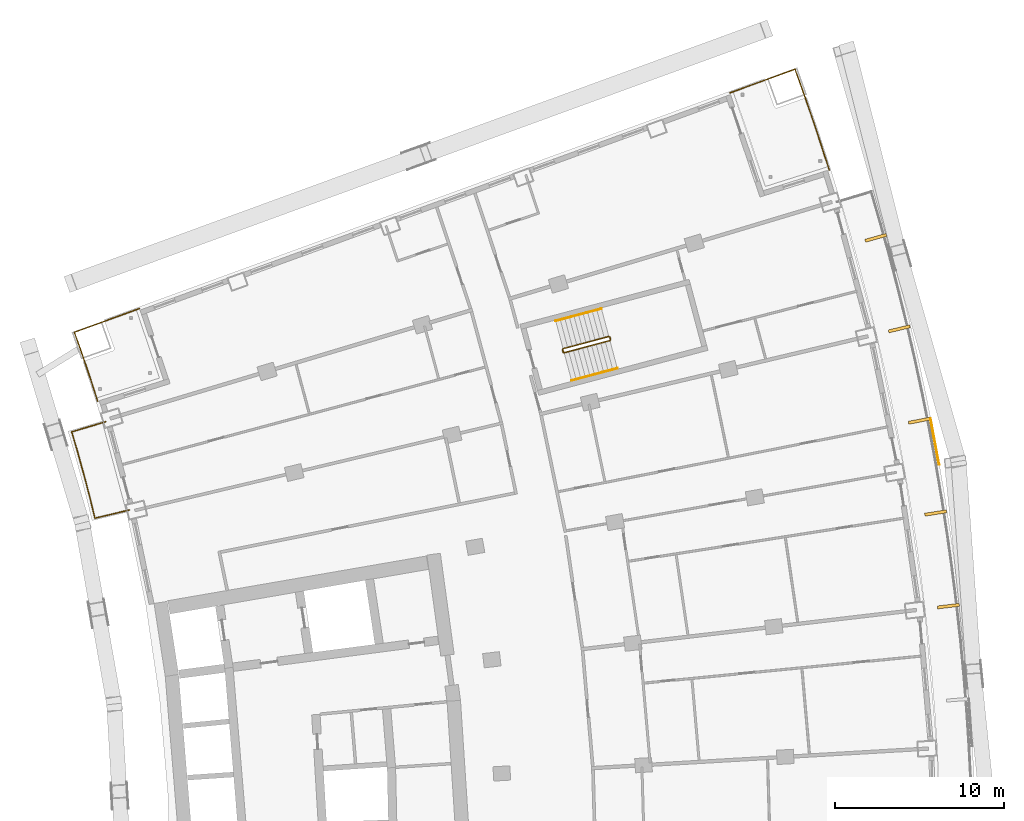
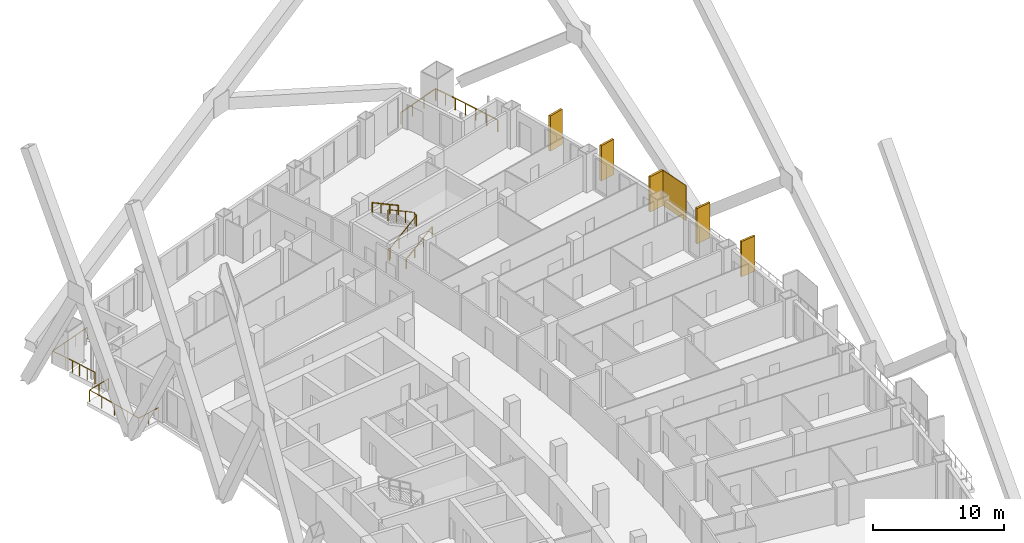
# One storey, part 24 of 24: 6 railings, 6 shading devices.
"""IFC4 building model written with IfcOpenShell, lengths in metres."""

from ifc_helpers import new_model, si_unit, direction, frame, origin, origin_2d, place, context, subcontext, project, spatial, rectangle, extrude, material, layer, layer_set, type_object, element, save


model = new_model("IFC4")

# Units and contexts
model_context = context("Model", 3, precision=1e-05, world=origin(), true_north=direction((0.0, 1.0)))
body_context = subcontext(model_context, "Body", "Model", "MODEL_VIEW")
ifc_project = project(units=[si_unit("LENGTHUNIT", "METRE"), si_unit("AREAUNIT", "SQUARE_METRE"), si_unit("VOLUMEUNIT", "CUBIC_METRE"), si_unit("PLANEANGLEUNIT", "RADIAN"), si_unit("MASSUNIT", "GRAM", prefix="KILO")], contexts=[model_context])

# Site, building, storey
site_placement = place(None, origin())
site = spatial("IfcSite", under=ifc_project, at=site_placement, CompositionType="ELEMENT")
building_placement = place(site_placement, origin())
building = spatial("IfcBuilding", under=site, at=building_placement, Name="Alderwake Tower", CompositionType="ELEMENT")
storey_placement = place(building_placement, frame((0.0, 0.0, 104.0)))
storey = spatial("IfcBuildingStorey", under=building, at=storey_placement, Name="L25", CompositionType="ELEMENT", Elevation=104.0)

# Railings
ifc_material_1 = material(Name="Stainless steel 316 rail and posts", Category="steel")
railing_type_1 = type_object("IfcRailingType", Name="Balcony guard 1100", PredefinedType="GUARDRAIL", material=ifc_material_1)
railing_1_placement = place(storey_placement, frame((13.5693359375, 83.343017578125, 0.0)))
element("IfcRailing", 1, at=railing_1_placement, inside=storey, type_object=railing_type_1, Name="Guard BR11", PredefinedType="GUARDRAIL", context=body_context, shape_type="SweptSolid", body=[
    extrude(rectangle(XDim=0.048095703125, YDim=0.048095703125, at=origin_2d()), frame((0.0, 0.0, 1.076171875), z_axis=(-0.972646310656, -0.232291098337, 0.0), x_axis=(0.232291098337, -0.972646310656, 0.0)), (0.0, 0.0, 1.0), 2.099853515625),
    extrude(rectangle(XDim=0.048095703125, YDim=0.048095703125, at=origin_2d()), frame((-2.04248046875, -0.48779296875, 1.076171875), z_axis=(-0.238877101641, 0.971049808358, 0.0), x_axis=(-0.971049808358, -0.238877101641, 0.0)), (0.0, 0.0, 1.0), 1.2724609375),
    extrude(rectangle(XDim=0.048095703125, YDim=0.048095703125, at=origin_2d()), frame((-2.346435546875, 0.747802734375, 1.076171875), z_axis=(-0.252487086228, 0.967600264204, 0.0), x_axis=(-0.967600264204, -0.252487086228, 0.0)), (0.0, 0.0, 1.0), 1.3720703125),
    extrude(rectangle(XDim=0.048095703125, YDim=0.048095703125, at=origin_2d()), frame((-2.69287109375, 2.075439453125, 1.076171875), z_axis=(-0.266487604617, 0.963838345671, 0.0), x_axis=(-0.963838345671, -0.266487604617, 0.0)), (0.0, 0.0, 1.0), 1.372314453125),
    extrude(rectangle(XDim=0.048095703125, YDim=0.048095703125, at=origin_2d()), frame((-3.05859375, 3.398193359375, 1.076171875), z_axis=(-0.279963157487, 0.960010744966, 0.0), x_axis=(-0.960010744966, -0.279963157487, 0.0)), (0.0, 0.0, 1.0), 1.272216796875),
    extrude(rectangle(XDim=0.048095703125, YDim=0.048095703125, at=origin_2d()), frame((-3.414794921875, 4.61962890625, 1.076171875), z_axis=(0.958091458885, 0.286462486918, 0.0), x_axis=(-0.286462486918, 0.958091458885, 0.0)), (0.0, 0.0, 1.0), 2.099853515625),
    extrude(rectangle(XDim=0.0419921875, YDim=0.0419921875, at=origin_2d()), frame((0.0, 0.0, 0.0), z_axis=(0.0, 0.0, 1.0), x_axis=(-0.972646310656, -0.232291098337, 0.0)), (0.0, 0.0, 1.0), 1.052001953125),
    extrude(rectangle(XDim=0.0419921875, YDim=0.0419921875, at=origin_2d()), frame((-1.021240234375, -0.243896484375, 0.0), z_axis=(0.0, 0.0, 1.0), x_axis=(-0.972646310656, -0.232291098337, 0.0)), (0.0, 0.0, 1.0), 1.052001953125),
    extrude(rectangle(XDim=0.0419921875, YDim=0.0419921875, at=origin_2d()), frame((-2.04248046875, -0.48779296875, 0.0), z_axis=(0.0, 0.0, 1.0), x_axis=(-0.238877101641, 0.971049808358, 0.0)), (0.0, 0.0, 1.0), 1.052001953125),
    extrude(rectangle(XDim=0.0419921875, YDim=0.0419921875, at=origin_2d()), frame((-2.346435546875, 0.747802734375, 0.0), z_axis=(0.0, 0.0, 1.0), x_axis=(-0.252487086228, 0.967600264204, 0.0)), (0.0, 0.0, 1.0), 1.052001953125),
    extrude(rectangle(XDim=0.0419921875, YDim=0.0419921875, at=origin_2d()), frame((-2.69287109375, 2.075439453125, 0.0), z_axis=(0.0, 0.0, 1.0), x_axis=(-0.266487604617, 0.963838345671, 0.0)), (0.0, 0.0, 1.0), 1.052001953125),
    extrude(rectangle(XDim=0.0419921875, YDim=0.0419921875, at=origin_2d()), frame((-3.05859375, 3.398193359375, 0.0), z_axis=(0.0, 0.0, 1.0), x_axis=(-0.279963157487, 0.960010744966, 0.0)), (0.0, 0.0, 1.0), 1.052001953125),
    extrude(rectangle(XDim=0.0419921875, YDim=0.0419921875, at=origin_2d()), frame((-3.414794921875, 4.61962890625, 0.0), z_axis=(0.0, 0.0, 1.0), x_axis=(0.958091458885, 0.286462486918, 0.0)), (0.0, 0.0, 1.0), 1.052001953125),
    extrude(rectangle(XDim=0.0419921875, YDim=0.0419921875, at=origin_2d()), frame((-2.40869140625, 4.92041015625, 0.0), z_axis=(0.0, 0.0, 1.0), x_axis=(0.958091458885, 0.286462486918, 0.0)), (0.0, 0.0, 1.0), 1.052001953125),
    extrude(rectangle(XDim=0.0419921875, YDim=0.0419921875, at=origin_2d()), frame((-1.40283203125, 5.22119140625, 0.0), z_axis=(0.0, 0.0, 1.0), x_axis=(0.958091458885, 0.286462486918, 0.0)), (0.0, 0.0, 1.0), 1.052001953125),
])
railing_2_placement = place(storey_placement, frame((54.976318359375, 103.469482421875, 0.0)))
element("IfcRailing", 2, at=railing_2_placement, inside=storey, type_object=railing_type_1, Name="Guard terrace FN", PredefinedType="GUARDRAIL", context=body_context, shape_type="SweptSolid", body=[
    extrude(rectangle(XDim=0.048095703125, YDim=0.048095703125, at=origin_2d()), frame((0.0, 0.0, 1.076171875), z_axis=(-0.307736999778, 0.951471459881, 0.0), x_axis=(-0.951471459881, -0.307736999778, 0.0)), (0.0, 0.0, 1.0), 2.263427734375),
    extrude(rectangle(XDim=0.048095703125, YDim=0.048095703125, at=origin_2d()), frame((-0.696533203125, 2.153564453125, 1.076171875), z_axis=(-0.322290868596, 0.946640690029, 0.0), x_axis=(-0.946640690029, -0.322290868596, 0.0)), (0.0, 0.0, 1.0), 2.0634765625),
    extrude(rectangle(XDim=0.048095703125, YDim=0.048095703125, at=origin_2d()), frame((-1.361572265625, 4.10693359375, 1.076171875), z_axis=(-0.335706204484, 0.941966742656, 0.0), x_axis=(-0.941966742656, -0.335706204484, 0.0)), (0.0, 0.0, 1.0), 1.963623046875),
    extrude(rectangle(XDim=0.048095703125, YDim=0.048095703125, at=origin_2d()), frame((-2.020751953125, 5.95654296875, 1.076171875), z_axis=(-0.939624669849, -0.342206779317, 0.0), x_axis=(0.342206779317, -0.939624669849, 0.0)), (0.0, 0.0, 1.0), 4.10009765625),
    extrude(rectangle(XDim=0.0419921875, YDim=0.0419921875, at=origin_2d()), frame((0.0, 0.0, 0.0), z_axis=(0.0, 0.0, 1.0), x_axis=(-0.307736999778, 0.951471459881, 0.0)), (0.0, 0.0, 1.0), 1.052001953125),
    extrude(rectangle(XDim=0.0419921875, YDim=0.0419921875, at=origin_2d()), frame((-0.34814453125, 1.07666015625, 0.0), z_axis=(0.0, 0.0, 1.0), x_axis=(-0.307736999778, 0.951471459881, 0.0)), (0.0, 0.0, 1.0), 1.052001953125),
    extrude(rectangle(XDim=0.0419921875, YDim=0.0419921875, at=origin_2d()), frame((-0.696533203125, 2.153564453125, 0.0), z_axis=(0.0, 0.0, 1.0), x_axis=(-0.322290868596, 0.946640690029, 0.0)), (0.0, 0.0, 1.0), 1.052001953125),
    extrude(rectangle(XDim=0.0419921875, YDim=0.0419921875, at=origin_2d()), frame((-1.029052734375, 3.13037109375, 0.0), z_axis=(0.0, 0.0, 1.0), x_axis=(-0.322290868596, 0.946640690029, 0.0)), (0.0, 0.0, 1.0), 1.052001953125),
    extrude(rectangle(XDim=0.0419921875, YDim=0.0419921875, at=origin_2d()), frame((-1.361572265625, 4.10693359375, 0.0), z_axis=(0.0, 0.0, 1.0), x_axis=(-0.335706204484, 0.941966742656, 0.0)), (0.0, 0.0, 1.0), 1.052001953125),
    extrude(rectangle(XDim=0.0419921875, YDim=0.0419921875, at=origin_2d()), frame((-1.691162109375, 5.03173828125, 0.0), z_axis=(0.0, 0.0, 1.0), x_axis=(-0.335706204484, 0.941966742656, 0.0)), (0.0, 0.0, 1.0), 1.052001953125),
    extrude(rectangle(XDim=0.0419921875, YDim=0.0419921875, at=origin_2d()), frame((-2.020751953125, 5.95654296875, 0.0), z_axis=(0.0, 0.0, 1.0), x_axis=(-0.939624669849, -0.342206779317, 0.0)), (0.0, 0.0, 1.0), 1.052001953125),
    extrude(rectangle(XDim=0.0419921875, YDim=0.0419921875, at=origin_2d()), frame((-3.304931640625, 5.48876953125, 0.0), z_axis=(0.0, 0.0, 1.0), x_axis=(-0.939624669849, -0.342206779317, 0.0)), (0.0, 0.0, 1.0), 1.052001953125),
    extrude(rectangle(XDim=0.0419921875, YDim=0.0419921875, at=origin_2d()), frame((-4.589111328125, 5.021240234375, 0.0), z_axis=(0.0, 0.0, 1.0), x_axis=(-0.939624669849, -0.342206779317, 0.0)), (0.0, 0.0, 1.0), 1.052001953125),
    extrude(rectangle(XDim=0.0419921875, YDim=0.0419921875, at=origin_2d()), frame((-5.873291015625, 4.553466796875, 0.0), z_axis=(0.0, 0.0, 1.0), x_axis=(-0.939624669849, -0.342206779317, 0.0)), (0.0, 0.0, 1.0), 1.052001953125),
])
railing_3_placement = place(storey_placement, frame((11.688720703125, 89.781982421875, 0.0)))
element("IfcRailing", 3, at=railing_3_placement, inside=storey, type_object=railing_type_1, Name="Guard terrace RN", PredefinedType="GUARDRAIL", context=body_context, shape_type="SweptSolid", body=[
    extrude(rectangle(XDim=0.048095703125, YDim=0.048095703125, at=origin_2d()), frame((0.0, 0.0, 1.076171875), z_axis=(-0.307479326145, 0.951554761426, 0.0), x_axis=(-0.951554761426, -0.307479326145, 0.0)), (0.0, 0.0, 1.0), 1.6015625),
    extrude(rectangle(XDim=0.048095703125, YDim=0.048095703125, at=origin_2d()), frame((-0.492431640625, 1.52392578125, 1.076171875), z_axis=(-0.322283727344, 0.946643121292, 0.0), x_axis=(-0.946643121292, -0.322283727344, 0.0)), (0.0, 0.0, 1.0), 1.4013671875),
    extrude(rectangle(XDim=0.048095703125, YDim=0.048095703125, at=origin_2d()), frame((-0.944091796875, 2.8505859375, 1.076171875), z_axis=(-0.335468607403, 0.942051385778, 0.0), x_axis=(-0.942051385778, -0.335468607403, 0.0)), (0.0, 0.0, 1.0), 1.30126953125),
    extrude(rectangle(XDim=0.048095703125, YDim=0.048095703125, at=origin_2d()), frame((-1.380615234375, 4.076416015625, 1.076171875), z_axis=(0.939708203232, 0.341977327873, 0.0), x_axis=(-0.341977327873, 0.939708203232, 0.0)), (0.0, 0.0, 1.0), 4.10009765625),
    extrude(rectangle(XDim=0.0419921875, YDim=0.0419921875, at=origin_2d()), frame((0.0, 0.0, 0.0), z_axis=(0.0, 0.0, 1.0), x_axis=(-0.307479326145, 0.951554761426, 0.0)), (0.0, 0.0, 1.0), 1.052001953125),
    extrude(rectangle(XDim=0.0419921875, YDim=0.0419921875, at=origin_2d()), frame((-0.24609375, 0.761962890625, 0.0), z_axis=(0.0, 0.0, 1.0), x_axis=(-0.307479326145, 0.951554761426, 0.0)), (0.0, 0.0, 1.0), 1.052001953125),
    extrude(rectangle(XDim=0.0419921875, YDim=0.0419921875, at=origin_2d()), frame((-0.492431640625, 1.52392578125, 0.0), z_axis=(0.0, 0.0, 1.0), x_axis=(-0.322283727344, 0.946643121292, 0.0)), (0.0, 0.0, 1.0), 1.052001953125),
    extrude(rectangle(XDim=0.0419921875, YDim=0.0419921875, at=origin_2d()), frame((-0.71826171875, 2.187255859375, 0.0), z_axis=(0.0, 0.0, 1.0), x_axis=(-0.322283727344, 0.946643121292, 0.0)), (0.0, 0.0, 1.0), 1.052001953125),
    extrude(rectangle(XDim=0.0419921875, YDim=0.0419921875, at=origin_2d()), frame((-0.944091796875, 2.8505859375, 0.0), z_axis=(0.0, 0.0, 1.0), x_axis=(-0.335468607403, 0.942051385778, 0.0)), (0.0, 0.0, 1.0), 1.052001953125),
    extrude(rectangle(XDim=0.0419921875, YDim=0.0419921875, at=origin_2d()), frame((-1.380615234375, 4.076416015625, 0.0), z_axis=(0.0, 0.0, 1.0), x_axis=(0.939708203232, 0.341977327873, 0.0)), (0.0, 0.0, 1.0), 1.052001953125),
    extrude(rectangle(XDim=0.0419921875, YDim=0.0419921875, at=origin_2d()), frame((-0.096435546875, 4.543701171875, 0.0), z_axis=(0.0, 0.0, 1.0), x_axis=(0.939708203232, 0.341977327873, 0.0)), (0.0, 0.0, 1.0), 1.052001953125),
    extrude(rectangle(XDim=0.0419921875, YDim=0.0419921875, at=origin_2d()), frame((1.18798828125, 5.01123046875, 0.0), z_axis=(0.0, 0.0, 1.0), x_axis=(0.939708203232, 0.341977327873, 0.0)), (0.0, 0.0, 1.0), 1.052001953125),
    extrude(rectangle(XDim=0.0419921875, YDim=0.0419921875, at=origin_2d()), frame((2.47216796875, 5.478515625, 0.0), z_axis=(0.0, 0.0, 1.0), x_axis=(0.939708203232, 0.341977327873, 0.0)), (0.0, 0.0, 1.0), 1.052001953125),
])

# Shading devices
ifc_material_2 = material(Name="Bronze anodised aluminium", Category="aluminium")
ifc_layer_1 = layer(ifc_material_2, 0.179931640625)
ifc_layer_set_1 = layer_set([ifc_layer_1], Name="Facade fin 1300")
shading_device_type_1 = type_object("IfcShadingDeviceType", Name="Facade fin 1300", PredefinedType="USERDEFINED", material=ifc_layer_set_1)
for number, where, z_axis, x_axis, name in (
    (4, (62.02734375, 77.650146484375, 0.0), (0.0, 0.0, 1.0), (0.993198315083, 0.116434990084, 0.0), "Fin"),
    (5, (61.2724609375, 83.1611328125, 0.0), (0.0, 0.0, 1.0), (0.987918787879, 0.154972476771, 0.0), "Fin"),
    (6, (60.306396484375, 88.62451171875, 0.0), (0.0, 0.0, 1.0), (0.981163751315, 0.193177879441, 0.0), "Fin"),
    (7, (59.1259765625, 94.06005859375, 0.0), (0.0, 0.0, 1.0), (0.972908790564, 0.231189284448, 0.0), "Fin"),
    (8, (57.735107421875, 99.44580078125, 0.0), (0.0, 0.0, 1.0), (0.96318180783, 0.268850897459, 0.0), "Fin"),
):
    element("IfcShadingDevice", number, at=place(storey_placement, frame(where, z_axis=z_axis, x_axis=x_axis)), inside=storey, type_object=shading_device_type_1, Name=name, ObjectType="FIN", PredefinedType="USERDEFINED", context=body_context, shape_type="SweptSolid", body=[
        extrude(rectangle(XDim=1.300048828125, YDim=0.179931640625, at=origin_2d()), origin(), (0.0, 0.0, 1.0), 3.280029296875),
    ])
ifc_material_3 = material(Name="Perforated bronze anodised aluminium", Category="aluminium")
ifc_layer_2 = layer(ifc_material_3, 0.050048828125)
ifc_layer_set_2 = layer_set([ifc_layer_2], Name="Perforated screen panel")
shading_device_type_2 = type_object("IfcShadingDeviceType", Name="Perforated screen panel", PredefinedType="USERDEFINED", material=ifc_layer_set_2)
shading_device_placement = place(storey_placement, frame((61.224609375, 87.385009765625, 0.0), z_axis=(0.0, 0.0, 1.0), x_axis=(0.982991488043, 0.183651121519, 0.0)))
element("IfcShadingDevice", 9, at=shading_device_placement, inside=storey, type_object=shading_device_type_2, Name="Screen panel", ObjectType="SCREEN", PredefinedType="USERDEFINED", context=body_context, shape_type="SweptSolid", body=[
    extrude(rectangle(XDim=0.050048828125, YDim=2.787353515625, at=origin_2d()), origin(), (0.0, 0.0, 1.0), 3.280029296875),
])

# Railings
ifc_material_4 = material(Name="Stainless steel guard", Category="steel")
railing_type_2 = type_object("IfcRailingType", Name="Stair guard 1100", PredefinedType="GUARDRAIL", material=ifc_material_4)
railing_4_placement = place(storey_placement, frame((39.23291015625, 92.6806640625, 0.0)))
element("IfcRailing", 10, at=railing_4_placement, inside=storey, type_object=railing_type_2, Name="L25 ST-A stair guard 1", PredefinedType="GUARDRAIL", context=body_context, shape_type="SweptSolid", body=[
    extrude(rectangle(XDim=0.048095703125, YDim=0.048095703125, at=origin_2d()), frame((0.0, 0.0, 1.076171875), z_axis=(-0.257055032184, 0.966396766566, 0.0), x_axis=(-0.966396766566, -0.257055032184, 0.0)), (0.0, 0.0, 1.0), 0.150146484375),
    extrude(rectangle(XDim=0.048095703125, YDim=0.048095703125, at=origin_2d()), frame((-0.03857421875, 0.14501953125, 1.076171875), z_axis=(0.379370725808, -0.685464465458, 0.621463047167), x_axis=(0.874937996095, 0.484234966715, 0.0)), (0.0, 0.0, 1.0), 0.26318359375),
    extrude(rectangle(XDim=0.048095703125, YDim=0.048095703125, at=origin_2d()), frame((0.061279296875, -0.035400390625, 1.23974609375), z_axis=(0.834258940753, 0.22222815314, 0.504605457487), x_axis=(-0.257402139082, 0.966304371715, 0.0)), (0.0, 0.0, 1.0), 3.2431640625),
    extrude(rectangle(XDim=0.048095703125, YDim=0.048095703125, at=origin_2d()), frame((2.766845703125, 0.685302734375, 2.8759765625), z_axis=(0.500220121494, 0.865898279276, 0.0), x_axis=(-0.865898279276, 0.500220121494, 0.0)), (0.0, 0.0, 1.0), 0.07080078125),
    extrude(rectangle(XDim=0.048095703125, YDim=0.048095703125, at=origin_2d()), frame((2.80224609375, 0.74658203125, 2.8759765625), z_axis=(-0.257459803502, 0.966289009345, 0.0), x_axis=(-0.966289009345, -0.257459803502, 0.0)), (0.0, 0.0, 1.0), 0.14990234375),
    extrude(rectangle(XDim=0.048095703125, YDim=0.048095703125, at=origin_2d()), frame((2.763671875, 0.891357421875, 2.8759765625), z_axis=(-0.34252489212, 0.200034536998, 0.917966710881), x_axis=(-0.504300490226, -0.863528236688, 0.0)), (0.0, 0.0, 1.0), 0.17822265625),
    extrude(rectangle(XDim=0.048095703125, YDim=0.048095703125, at=origin_2d()), frame((2.70263671875, 0.927001953125, 3.03955078125), z_axis=(-0.834281824786, -0.222214197128, 0.504573768072), x_axis=(0.257380452725, -0.966310148221, 0.0)), (0.0, 0.0, 1.0), 3.2431640625),
    extrude(rectangle(XDim=0.0419921875, YDim=0.0419921875, at=origin_2d()), frame((0.0, 0.0, 0.0), z_axis=(0.0, 0.0, 1.0), x_axis=(-0.257055032184, 0.966396766566, 0.0)), (0.0, 0.0, 1.0), 1.052001953125),
    extrude(rectangle(XDim=0.0419921875, YDim=0.0419921875, at=origin_2d()), frame((-0.03857421875, 0.14501953125, 0.0), z_axis=(0.0, 0.0, 1.0), x_axis=(0.484234966715, -0.874937996095, 0.0)), (0.0, 0.0, 1.0), 1.052001953125),
    extrude(rectangle(XDim=0.0419921875, YDim=0.0419921875, at=origin_2d()), frame((0.061279296875, -0.035400390625, 0.16357421875), z_axis=(0.0, 0.0, 1.0), x_axis=(0.966304371715, 0.257402139082, 0.0)), (0.0, 0.0, 1.0), 1.052001953125),
    extrude(rectangle(XDim=0.0419921875, YDim=0.0419921875, at=origin_2d()), frame((0.963134765625, 0.204833984375, 0.708984375), z_axis=(0.0, 0.0, 1.0), x_axis=(0.966304371715, 0.257402139082, 0.0)), (0.0, 0.0, 1.0), 1.052001953125),
    extrude(rectangle(XDim=0.0419921875, YDim=0.0419921875, at=origin_2d()), frame((1.864990234375, 0.445068359375, 1.254638671875), z_axis=(0.0, 0.0, 1.0), x_axis=(0.966304371715, 0.257402139082, 0.0)), (0.0, 0.0, 1.0), 1.052001953125),
    extrude(rectangle(XDim=0.0419921875, YDim=0.0419921875, at=origin_2d()), frame((2.766845703125, 0.685302734375, 1.800048828125), z_axis=(0.0, 0.0, 1.0), x_axis=(0.500220121494, 0.865898279276, 0.0)), (0.0, 0.0, 1.0), 1.052001953125),
    extrude(rectangle(XDim=0.0419921875, YDim=0.0419921875, at=origin_2d()), frame((2.80224609375, 0.74658203125, 1.800048828125), z_axis=(0.0, 0.0, 1.0), x_axis=(-0.257459803502, 0.966289009345, 0.0)), (0.0, 0.0, 1.0), 1.052001953125),
    extrude(rectangle(XDim=0.0419921875, YDim=0.0419921875, at=origin_2d()), frame((2.763671875, 0.891357421875, 1.800048828125), z_axis=(0.0, 0.0, 1.0), x_axis=(-0.863528236688, 0.504300490226, 0.0)), (0.0, 0.0, 1.0), 1.052001953125),
    extrude(rectangle(XDim=0.0419921875, YDim=0.0419921875, at=origin_2d()), frame((2.70263671875, 0.927001953125, 1.963623046875), z_axis=(0.0, 0.0, 1.0), x_axis=(-0.966310148221, -0.257380452725, 0.0)), (0.0, 0.0, 1.0), 1.052001953125),
    extrude(rectangle(XDim=0.0419921875, YDim=0.0419921875, at=origin_2d()), frame((1.80078125, 0.686767578125, 2.509033203125), z_axis=(0.0, 0.0, 1.0), x_axis=(-0.966310148221, -0.257380452725, 0.0)), (0.0, 0.0, 1.0), 1.052001953125),
    extrude(rectangle(XDim=0.0419921875, YDim=0.0419921875, at=origin_2d()), frame((0.898681640625, 0.446533203125, 3.0546875), z_axis=(0.0, 0.0, 1.0), x_axis=(-0.966310148221, -0.257380452725, 0.0)), (0.0, 0.0, 1.0), 1.052001953125),
    extrude(rectangle(XDim=0.0419921875, YDim=0.0419921875, at=origin_2d()), frame((-0.003173828125, 0.206298828125, 3.60009765625), z_axis=(0.0, 0.0, 1.0), x_axis=(-0.966310148221, -0.257380452725, 0.0)), (0.0, 0.0, 1.0), 1.052001953125),
])
ifc_material_5 = material(Name="Stainless steel handrail", Category="steel")
railing_type_3 = type_object("IfcRailingType", Name="Stair handrail 900", PredefinedType="HANDRAIL", material=ifc_material_5)
railing_5_placement = place(storey_placement, frame((39.731689453125, 91.002685546875, 0.16357421875)))
element("IfcRailing", 11, at=railing_5_placement, inside=storey, type_object=railing_type_3, Name="L25 ST-A stair handrail 1", PredefinedType="HANDRAIL", context=body_context, shape_type="SweptSolid", body=[
    extrude(rectangle(XDim=0.048095703125, YDim=0.048095703125, at=origin_2d()), frame((0.0, 0.0, 0.8759765625), z_axis=(0.834258940753, 0.22222815314, 0.504605457487), x_axis=(-0.257402139082, 0.966304371715, 0.0)), (0.0, 0.0, 1.0), 3.2431640625),
    extrude(rectangle(XDim=0.0419921875, YDim=0.0419921875, at=origin_2d()), frame((0.0, 0.0, 0.0), z_axis=(0.0, 0.0, 1.0), x_axis=(0.966304371715, 0.257402139082, 0.0)), (0.0, 0.0, 1.0), 0.851806640625),
    extrude(rectangle(XDim=0.0419921875, YDim=0.0419921875, at=origin_2d()), frame((0.90185546875, 0.240234375, 0.54541015625), z_axis=(0.0, 0.0, 1.0), x_axis=(0.966304371715, 0.257402139082, 0.0)), (0.0, 0.0, 1.0), 0.851806640625),
    extrude(rectangle(XDim=0.0419921875, YDim=0.0419921875, at=origin_2d()), frame((1.8037109375, 0.48046875, 1.091064453125), z_axis=(0.0, 0.0, 1.0), x_axis=(0.966304371715, 0.257402139082, 0.0)), (0.0, 0.0, 1.0), 0.851806640625),
    extrude(rectangle(XDim=0.0419921875, YDim=0.0419921875, at=origin_2d()), frame((2.70556640625, 0.720703125, 1.636474609375), z_axis=(0.0, 0.0, 1.0), x_axis=(0.966304371715, 0.257402139082, 0.0)), (0.0, 0.0, 1.0), 0.851806640625),
])
railing_6_placement = place(storey_placement, frame((41.497802734375, 95.250244140625, 1.963623046875)))
element("IfcRailing", 12, at=railing_6_placement, inside=storey, type_object=railing_type_3, Name="L25 ST-A stair handrail 2", PredefinedType="HANDRAIL", context=body_context, shape_type="SweptSolid", body=[
    extrude(rectangle(XDim=0.048095703125, YDim=0.048095703125, at=origin_2d()), frame((0.0, 0.0, 0.8759765625), z_axis=(-0.834258940753, -0.22222815314, 0.504605457487), x_axis=(0.257402139082, -0.966304371715, 0.0)), (0.0, 0.0, 1.0), 3.2431640625),
    extrude(rectangle(XDim=0.0419921875, YDim=0.0419921875, at=origin_2d()), frame((0.0, 0.0, 0.0), z_axis=(0.0, 0.0, 1.0), x_axis=(-0.966304371715, -0.257402139082, 0.0)), (0.0, 0.0, 1.0), 0.851806640625),
    extrude(rectangle(XDim=0.0419921875, YDim=0.0419921875, at=origin_2d()), frame((-0.90185546875, -0.240234375, 0.54541015625), z_axis=(0.0, 0.0, 1.0), x_axis=(-0.966304371715, -0.257402139082, 0.0)), (0.0, 0.0, 1.0), 0.851806640625),
    extrude(rectangle(XDim=0.0419921875, YDim=0.0419921875, at=origin_2d()), frame((-1.8037109375, -0.48046875, 1.091064453125), z_axis=(0.0, 0.0, 1.0), x_axis=(-0.966304371715, -0.257402139082, 0.0)), (0.0, 0.0, 1.0), 0.851806640625),
    extrude(rectangle(XDim=0.0419921875, YDim=0.0419921875, at=origin_2d()), frame((-2.70556640625, -0.720703125, 1.636474609375), z_axis=(0.0, 0.0, 1.0), x_axis=(-0.966304371715, -0.257402139082, 0.0)), (0.0, 0.0, 1.0), 0.851806640625),
])

save(model, "model.ifc")
